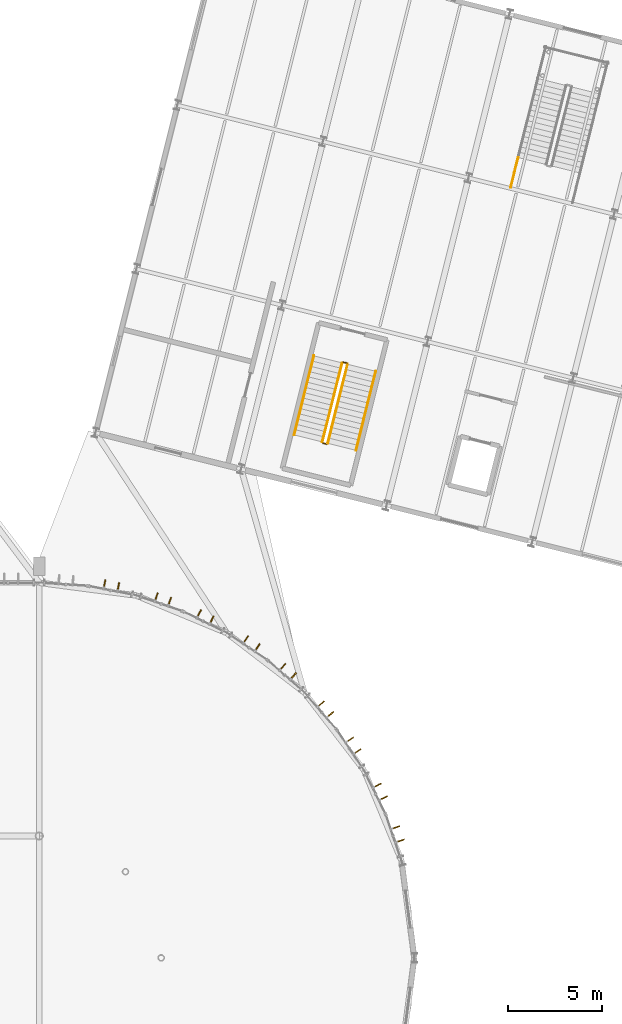
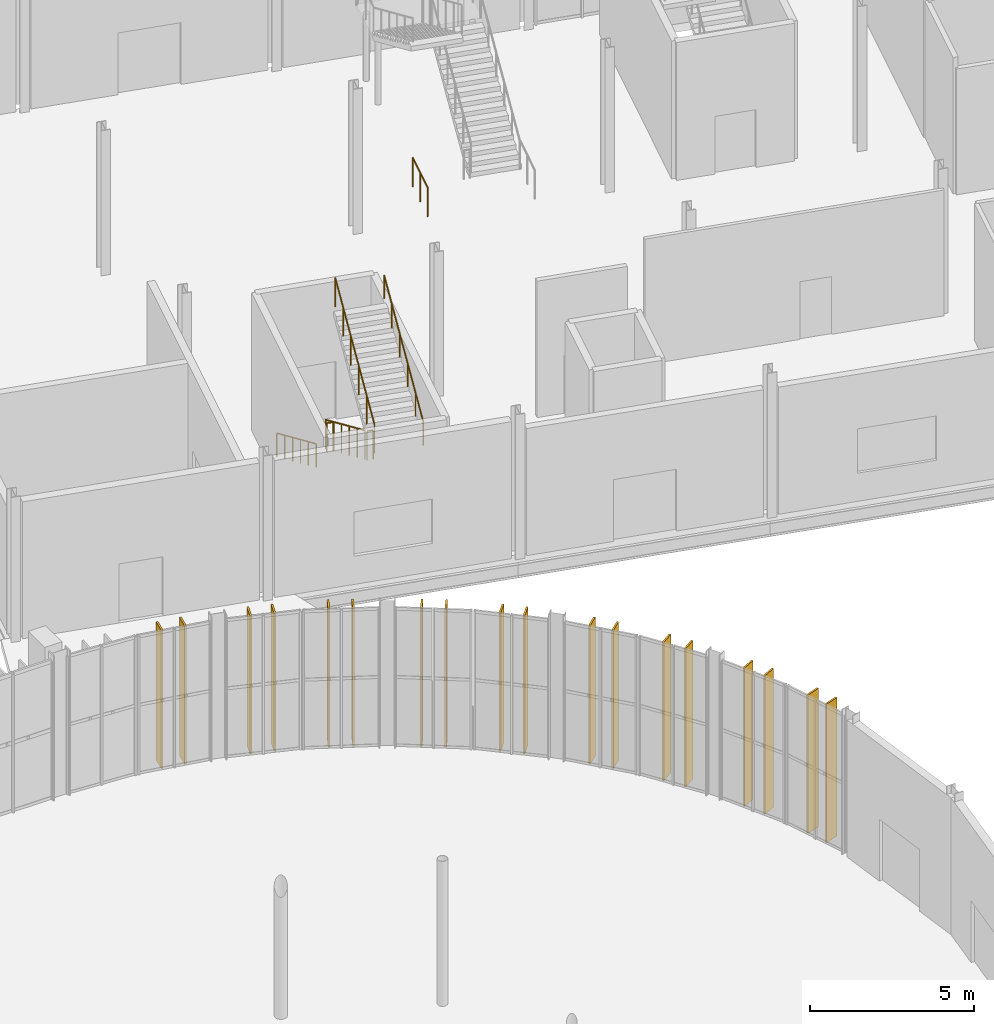
# One storey, part 151 of 158: 18 coverings, 7 railings.
"""IFC4 building model written with IfcOpenShell, lengths in metres."""

from ifc_helpers import new_model, si_unit, derived_unit, direction, frame, origin, origin_2d, place, context, subcontext, project, spatial, rectangle, circle, extrude, material, layer, layer_set, type_object, element, save


model = new_model("IFC4")

# Units and contexts
model_context = context("Model", 3, precision=1e-05, world=origin(), true_north=direction((0.0, 1.0)))
body_context = subcontext(model_context, "Body", "Model", "MODEL_VIEW")
ifc_project = project(units=[si_unit("LENGTHUNIT", "METRE"), si_unit("AREAUNIT", "SQUARE_METRE"), si_unit("VOLUMEUNIT", "CUBIC_METRE"), si_unit("PLANEANGLEUNIT", "RADIAN"), si_unit("MASSUNIT", "GRAM", prefix="KILO"), si_unit("THERMODYNAMICTEMPERATUREUNIT", "KELVIN"), si_unit("TIMEUNIT", "SECOND"), derived_unit("THERMALTRANSMITTANCEUNIT", [(si_unit("MASSUNIT", "GRAM", prefix="KILO"), 1), (si_unit("THERMODYNAMICTEMPERATUREUNIT", "KELVIN"), -1), (si_unit("TIMEUNIT", "SECOND"), -3)])], contexts=[model_context])

# Site, building, storey
site_placement = place(None, origin())
site = spatial("IfcSite", under=ifc_project, at=site_placement, CompositionType="ELEMENT")
building_placement = place(site_placement, origin())
building = spatial("IfcBuilding", under=site, at=building_placement, Name="Cambertide Market Hall", CompositionType="ELEMENT")
storey_placement = place(building_placement, origin())
storey = spatial("IfcBuildingStorey", under=building, at=storey_placement, Name="L01", CompositionType="ELEMENT", Elevation=0.0)

# Railings
ifc_material_1 = material(Name="Stainless Steel Grade 316", Category="metal")
railing_type_1 = type_object("IfcRailingType", Name="Stair Wall Handrail 900", PredefinedType="HANDRAIL", material=ifc_material_1)
railing_1_placement = place(storey_placement, frame((119.6416015625, 104.098876953125, 0.168701171875)))
element("IfcRailing", 1, at=railing_1_placement, inside=storey, type_object=railing_type_1, Name="Level 1 ST-07A stair handrail 1", PredefinedType="HANDRAIL", context=body_context, shape_type="SweptSolid", body=[
    extrude(circle(Radius=0.02392578125, at=origin_2d()), frame((0.0, 0.0, 0.8759765625), z_axis=(-0.209606127579, -0.838521527732, 0.50293828529), x_axis=(0.970149102539, -0.242509213934, 0.0)), (0.0, 0.0, 1.0), 5.032958984375),
    extrude(circle(Radius=0.02099609375, at=origin_2d()), origin(), (0.0, 0.0, 1.0), 0.851806640625),
    extrude(circle(Radius=0.02099609375, at=origin_2d()), frame((-0.2109375, -0.843994140625, 0.50634765625)), (0.0, 0.0, 1.0), 0.851806640625),
    extrude(circle(Radius=0.02099609375, at=origin_2d()), frame((-0.421875, -1.68798828125, 1.012451171875)), (0.0, 0.0, 1.0), 0.851806640625),
    extrude(circle(Radius=0.02099609375, at=origin_2d()), frame((-0.633056640625, -2.5322265625, 1.518798828125)), (0.0, 0.0, 1.0), 0.851806640625),
    extrude(circle(Radius=0.02099609375, at=origin_2d()), frame((-0.843994140625, -3.376220703125, 2.02490234375)), (0.0, 0.0, 1.0), 0.851806640625),
    extrude(circle(Radius=0.02099609375, at=origin_2d()), frame((-1.054931640625, -4.22021484375, 2.53125)), (0.0, 0.0, 1.0), 0.851806640625),
])
railing_2_placement = place(storey_placement, frame((121.88525390625, 99.05419921875, 2.86865234375)))
element("IfcRailing", 2, at=railing_2_placement, inside=storey, type_object=railing_type_1, Name="Level 1 ST-07A stair handrail 2", PredefinedType="HANDRAIL", context=body_context, shape_type="SweptSolid", body=[
    extrude(circle(Radius=0.02392578125, at=origin_2d()), frame((0.0, 0.0, 0.8759765625), z_axis=(0.209614653707, 0.838507125508, 0.502958743261), x_axis=(-0.970145801612, 0.242522418789, 0.0)), (0.0, 0.0, 1.0), 5.03271484375),
    extrude(circle(Radius=0.02099609375, at=origin_2d()), origin(), (0.0, 0.0, 1.0), 0.851806640625),
    extrude(circle(Radius=0.02099609375, at=origin_2d()), frame((0.2109375, 0.843994140625, 0.50634765625)), (0.0, 0.0, 1.0), 0.851806640625),
    extrude(circle(Radius=0.02099609375, at=origin_2d()), frame((0.421875, 1.68798828125, 1.012451171875)), (0.0, 0.0, 1.0), 0.851806640625),
    extrude(circle(Radius=0.02099609375, at=origin_2d()), frame((0.633056640625, 2.531982421875, 1.518798828125)), (0.0, 0.0, 1.0), 0.851806640625),
    extrude(circle(Radius=0.02099609375, at=origin_2d()), frame((0.843994140625, 3.3759765625, 2.02490234375)), (0.0, 0.0, 1.0), 0.851806640625),
    extrude(circle(Radius=0.02099609375, at=origin_2d()), frame((1.054931640625, 4.219970703125, 2.53125)), (0.0, 0.0, 1.0), 0.851806640625),
])
ifc_material_2 = material(Name="Stainless Steel Grade 316", Category="metal")
railing_type_2 = type_object("IfcRailingType", Name="Stairwell Inner Guardrail 1100", PredefinedType="GUARDRAIL", material=ifc_material_2)
railing_3_placement = place(storey_placement, frame((121.1455078125, 103.722900390625, 0.168701171875)))
element("IfcRailing", 3, at=railing_3_placement, inside=storey, type_object=railing_type_2, Name="Level 1 ST-07A stair guard 1", PredefinedType="GUARDRAIL", context=body_context, shape_type="SweptSolid", body=[
    extrude(circle(Radius=0.02392578125, at=origin_2d()), frame((0.0, 0.0, 1.076171875), z_axis=(-0.209652504363, -0.838513001022, 0.50293317104), x_axis=(0.970135897123, -0.242562035599, 0.0)), (0.0, 0.0, 1.0), 5.032958984375),
    extrude(circle(Radius=0.02099609375, at=origin_2d()), origin(), (0.0, 0.0, 1.0), 1.052001953125),
    extrude(circle(Radius=0.02099609375, at=origin_2d()), frame((-0.2109375, -0.843994140625, 0.50634765625)), (0.0, 0.0, 1.0), 1.052001953125),
    extrude(circle(Radius=0.02099609375, at=origin_2d()), frame((-0.422119140625, -1.68798828125, 1.012451171875)), (0.0, 0.0, 1.0), 1.052001953125),
    extrude(circle(Radius=0.02099609375, at=origin_2d()), frame((-0.633056640625, -2.5322265625, 1.518798828125)), (0.0, 0.0, 1.0), 1.052001953125),
    extrude(circle(Radius=0.02099609375, at=origin_2d()), frame((-0.84423828125, -3.376220703125, 2.02490234375)), (0.0, 0.0, 1.0), 1.052001953125),
    extrude(circle(Radius=0.02099609375, at=origin_2d()), frame((-1.05517578125, -4.22021484375, 2.53125)), (0.0, 0.0, 1.0), 1.052001953125),
])
railing_4_placement = place(storey_placement, frame((120.126708984375, 99.442138671875, 2.699951171875)))
element("IfcRailing", 4, at=railing_4_placement, inside=storey, type_object=railing_type_2, Name="Level 1 ST-07A stair guard 2", PredefinedType="GUARDRAIL", context=body_context, shape_type="SweptSolid", body=[
    extrude(circle(Radius=0.02392578125, at=origin_2d()), frame((0.0, 0.0, 1.076171875), z_axis=(0.970070680326, -0.242822723755, 0.0), x_axis=(0.242822723755, 0.970070680326, 0.0)), (0.0, 0.0, 1.0), 0.2001953125),
    extrude(circle(Radius=0.02099609375, at=origin_2d()), origin(), (0.0, 0.0, 1.0), 1.052001953125),
    extrude(circle(Radius=0.02099609375, at=origin_2d()), frame((0.194091796875, -0.048583984375, 0.0)), (0.0, 0.0, 1.0), 1.052001953125),
])
railing_5_placement = place(storey_placement, frame((120.38134765625, 99.429931640625, 2.86865234375)))
element("IfcRailing", 5, at=railing_5_placement, inside=storey, type_object=railing_type_2, Name="Level 1 ST-07A stair guard 3", PredefinedType="GUARDRAIL", context=body_context, shape_type="SweptSolid", body=[
    extrude(circle(Radius=0.02392578125, at=origin_2d()), frame((0.0, 0.0, 1.076171875), z_axis=(0.209652504363, 0.838513001022, 0.50293317104), x_axis=(-0.970135897123, 0.242562035599, 0.0)), (0.0, 0.0, 1.0), 5.032958984375),
    extrude(circle(Radius=0.02099609375, at=origin_2d()), origin(), (0.0, 0.0, 1.0), 1.052001953125),
    extrude(circle(Radius=0.02099609375, at=origin_2d()), frame((0.2109375, 0.843994140625, 0.50634765625)), (0.0, 0.0, 1.0), 1.052001953125),
    extrude(circle(Radius=0.02099609375, at=origin_2d()), frame((0.422119140625, 1.68798828125, 1.012451171875)), (0.0, 0.0, 1.0), 1.052001953125),
    extrude(circle(Radius=0.02099609375, at=origin_2d()), frame((0.633056640625, 2.5322265625, 1.518798828125)), (0.0, 0.0, 1.0), 1.052001953125),
    extrude(circle(Radius=0.02099609375, at=origin_2d()), frame((0.84423828125, 3.376220703125, 2.02490234375)), (0.0, 0.0, 1.0), 1.052001953125),
    extrude(circle(Radius=0.02099609375, at=origin_2d()), frame((1.05517578125, 4.22021484375, 2.53125)), (0.0, 0.0, 1.0), 1.052001953125),
])
railing_6_placement = place(storey_placement, frame((121.2060546875, 103.75927734375, 0.0)))
element("IfcRailing", 6, at=railing_6_placement, inside=storey, type_object=railing_type_2, Name="Level 1 ST-07A stair guard 4", PredefinedType="GUARDRAIL", context=body_context, shape_type="SweptSolid", body=[
    extrude(circle(Radius=0.02392578125, at=origin_2d()), frame((0.0, 0.0, 1.076171875), z_axis=(0.970070680326, -0.242822723755, 0.0), x_axis=(0.242822723755, 0.970070680326, 0.0)), (0.0, 0.0, 1.0), 0.2001953125),
    extrude(circle(Radius=0.02099609375, at=origin_2d()), origin(), (0.0, 0.0, 1.0), 1.052001953125),
    extrude(circle(Radius=0.02099609375, at=origin_2d()), frame((0.194091796875, -0.048583984375, 0.0)), (0.0, 0.0, 1.0), 1.052001953125),
])
railing_7_placement = place(storey_placement, frame((130.13134765625, 113.07275390625, 0.0)))
element("IfcRailing", 7, at=railing_7_placement, inside=storey, type_object=railing_type_2, Name="Level 1 ST-13 stair guard 9", PredefinedType="GUARDRAIL", context=body_context, shape_type="SweptSolid", body=[
    extrude(circle(Radius=0.02392578125, at=origin_2d()), frame((0.0, 0.0, 1.076171875), z_axis=(0.242535625036, 0.970142500145, 0.0), x_axis=(-0.970142500145, 0.242535625036, 0.0)), (0.0, 0.0, 1.0), 1.64990234375),
    extrude(circle(Radius=0.02099609375, at=origin_2d()), origin(), (0.0, 0.0, 1.0), 1.052001953125),
    extrude(circle(Radius=0.02099609375, at=origin_2d()), frame((0.2001953125, 0.80029296875, 0.0)), (0.0, 0.0, 1.0), 1.052001953125),
    extrude(circle(Radius=0.02099609375, at=origin_2d()), frame((0.400146484375, 1.6005859375, 0.0)), (0.0, 0.0, 1.0), 1.052001953125),
])

# Coverings
ifc_material_3 = material(Name="White Marine Anodized Aluminium 6063-T6 AA25", Category="aluminium")
ifc_layer = layer(ifc_material_3, 0.06005859375, Name="White Anodized Lantern Vertical Fin 480x60")
ifc_layer_set = layer_set([ifc_layer], Name="White Marine Anodized Aluminium 6063-T6 AA25")
covering_type = type_object("IfcCoveringType", Name="White Anodized Lantern Vertical Fin 480x60", PredefinedType="CLADDING", material=ifc_layer_set)
for number, where, z_axis, x_axis, name in (
    (8, (123.991455078125, 78.948486328125, 0.0), (0.0, 0.0, 1.0), (0.32143947831, -0.94693012508, 0.0), "CW-V1AE-L01-15 Vertical Fin 1"),
    (9, (124.232666015625, 78.23828125, 0.0), (0.0, 0.0, 1.0), (0.32143947831, -0.94693012508, 0.0), "CW-V1AE-L01-15 Vertical Fin 2"),
    (10, (123.010498046875, 81.1884765625, 0.0), (0.0, 0.0, 1.0), (0.442288874522, -0.896872650645, 0.0), "CW-V1AE-L01-16 Vertical Fin 1"),
    (11, (123.34228515625, 80.515869140625, 0.0), (0.0, 0.0, 1.0), (0.442288874522, -0.896872650645, 0.0), "CW-V1AE-L01-16 Vertical Fin 2"),
    (12, (121.546142578125, 83.626953125, 0.0), (0.0, 0.0, 1.0), (0.555570087582, -0.831469709481, 0.0), "CW-V1AE-L01-17 Vertical Fin 1"),
    (13, (121.962646484375, 83.00341796875, 0.0), (0.0, 0.0, 1.0), (0.555570087582, -0.831469709481, 0.0), "CW-V1AE-L01-17 Vertical Fin 2"),
    (14, (120.018798828125, 85.536865234375, 0.0), (0.0, 0.0, 1.0), (0.659345784014, -0.751839834741, 0.0), "CW-V1AE-L01-18 Vertical Fin 1"),
    (15, (120.51318359375, 84.972900390625, 0.0), (0.0, 0.0, 1.0), (0.659345784014, -0.751839834741, 0.0), "CW-V1AE-L01-18 Vertical Fin 2"),
    (16, (117.972900390625, 87.51318359375, 0.0), (0.0, 0.0, 1.0), (0.751839834741, -0.659345784014, 0.0), "CW-V1AE-L01-19 Vertical Fin 1"),
    (17, (118.536865234375, 87.018798828125, 0.0), (0.0, 0.0, 1.0), (0.751839834741, -0.659345784014, 0.0), "CW-V1AE-L01-19 Vertical Fin 2"),
    (18, (116.00341796875, 88.962646484375, 0.0), (0.0, 0.0, 1.0), (0.831469709481, -0.555570087582, 0.0), "CW-V1AE-L01-20 Vertical Fin 1"),
    (19, (116.626953125, 88.546142578125, 0.0), (0.0, 0.0, 1.0), (0.831469709481, -0.555570087582, 0.0), "CW-V1AE-L01-20 Vertical Fin 2"),
    (20, (113.515869140625, 90.34228515625, 0.0), (0.0, 0.0, 1.0), (0.896872650645, -0.442288874522, 0.0), "CW-V1AE-L01-21 Vertical Fin 1"),
    (21, (114.1884765625, 90.010498046875, 0.0), (0.0, 0.0, 1.0), (0.896872650645, -0.442288874522, 0.0), "CW-V1AE-L01-21 Vertical Fin 2"),
    (22, (111.23828125, 91.232666015625, 0.0), (0.0, 0.0, 1.0), (0.94693012508, -0.32143947831, 0.0), "CW-V1AE-L01-22 Vertical Fin 1"),
    (23, (111.948486328125, 90.991455078125, 0.0), (0.0, 0.0, 1.0), (0.94693012508, -0.32143947831, 0.0), "CW-V1AE-L01-22 Vertical Fin 2"),
    (24, (108.478271484375, 91.92138671875, 0.0), (0.0, 0.0, 1.0), (0.980785330885, -0.195090068226, 0.0), "CW-V1AE-L01-23 Vertical Fin 1"),
    (25, (109.2138671875, 91.775146484375, 0.0), (0.0, 0.0, 1.0), (0.980785330885, -0.195090068226, 0.0), "CW-V1AE-L01-23 Vertical Fin 2"),
):
    element("IfcCovering", number, at=place(storey_placement, frame(where, z_axis=z_axis, x_axis=x_axis)), inside=storey, type_object=covering_type, Name=name, PredefinedType="CLADDING", context=body_context, shape_type="SweptSolid", body=[
        extrude(rectangle(XDim=0.06005859375, YDim=0.47998046875, at=origin_2d()), origin(), (0.0, 0.0, 1.0), 5.159912109375),
    ])

save(model, "model.ifc")
